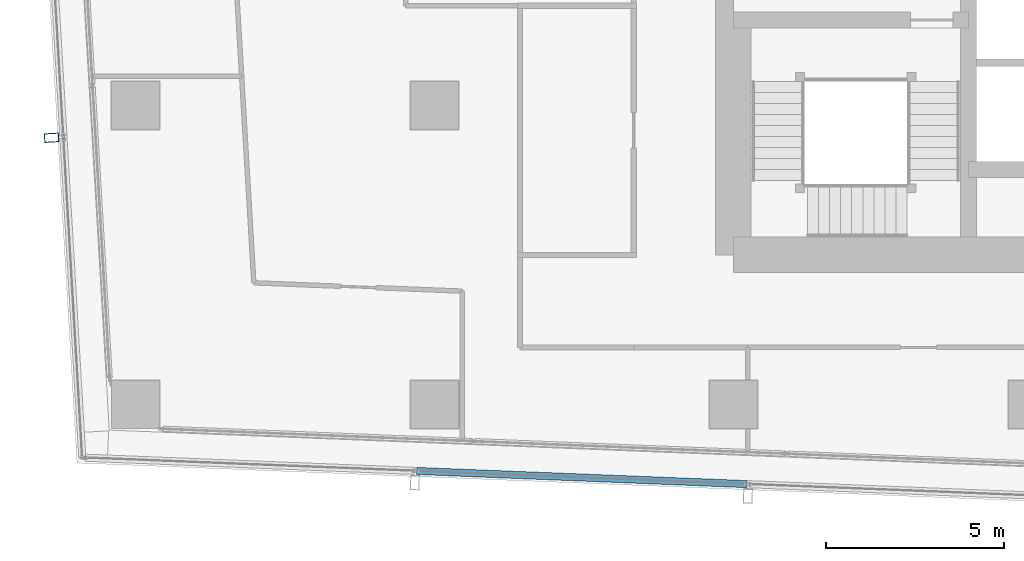
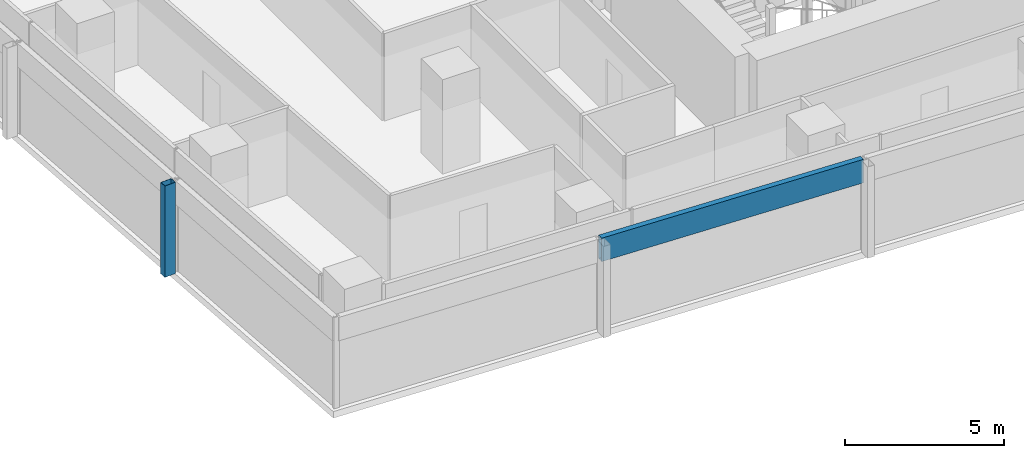
# One storey, part 4 of 33: 2 members, 2 elements without a shape of their own.
"""IFC4 building model written with IfcOpenShell, lengths in metres."""

from ifc_helpers import new_model, si_unit, direction, frame, origin, origin_2d, place, context, subcontext, project, spatial, hollow_rectangle, extrude, material, material_profile, profile_set, type_object, element, aggregate, save


model = new_model("IFC4")

# Units and contexts
model_context = context("Model", 3, precision=1e-05, world=origin(), true_north=direction((0.0, 1.0)))
body_context = subcontext(model_context, "Body", "Model", "MODEL_VIEW")
ifc_project = project(units=[si_unit("LENGTHUNIT", "METRE"), si_unit("AREAUNIT", "SQUARE_METRE"), si_unit("VOLUMEUNIT", "CUBIC_METRE"), si_unit("PLANEANGLEUNIT", "RADIAN"), si_unit("MASSUNIT", "GRAM", prefix="KILO")], contexts=[model_context])

# Site, building, storey
site_placement = place(None, origin())
site = spatial("IfcSite", under=ifc_project, at=site_placement, CompositionType="ELEMENT")
building_placement = place(site_placement, origin())
building = spatial("IfcBuilding", under=site, at=building_placement, Name="Rekha Terrace Tower", CompositionType="ELEMENT")
storey_placement = place(building_placement, frame((0.0, 0.0, 206.449951171875)))
storey = spatial("IfcBuildingStorey", under=building, at=storey_placement, Name="L52", CompositionType="ELEMENT", Elevation=206.449951171875)

# Curtain wall, member
ifc_material_1 = material(Name="Aluminium framing", Category="aluminium")
curtain_wall_type = type_object("IfcCurtainWallType", Name="CW2 double skin outer glazing", PredefinedType="USERDEFINED", material=ifc_material_1)
curtain_wall_1_placement = place(storey_placement, origin())
curtain_wall_1 = element("IfcCurtainWall", 1, at=curtain_wall_1_placement, inside=storey, type_object=curtain_wall_type, Name="CW2 double skin outer glazing", ObjectType="DOUBLE SKIN OUTER GLAZING", PredefinedType="USERDEFINED")
ifc_material_2 = material(Name="Steel S355 with fluorocarbon finish", Category="steel")
ifc_material_profile_1 = material_profile(ifc_material_2, hollow_rectangle(XDim=0.25, YDim=0.39990234375, WallThickness=0.012451171875, at=origin_2d()), Name="RHS400x250x12.5")
ifc_profile_set_1 = profile_set([ifc_material_profile_1], Name="Steel S355 with fluorocarbon finish")
member_type_1 = type_object("IfcMemberType", Name="BL1 facade blade RHS 400 x 250", PredefinedType="USERDEFINED", material=ifc_profile_set_1)
member_1_placement = place(storey_placement, frame((6.03662109375, 24.292236328125, 0.0), z_axis=(0.0, 0.0, 1.0), x_axis=(0.058764522885, -0.998271872212, 0.0)))
member_1 = element("IfcMember", 2, at=member_1_placement, type_object=member_type_1, Name="Facade blade", ObjectType="FACADE BLADE", PredefinedType="USERDEFINED", context=body_context, shape_type="SweptSolid", body=[
    extrude(hollow_rectangle(XDim=0.25, YDim=0.39990234375, WallThickness=0.012451171875, at=origin_2d()), origin(), (0.0, 0.0, 1.0), 3.5),
])
aggregate(curtain_wall_1, [member_1])

curtain_wall_2_placement = place(storey_placement, origin())
curtain_wall_2 = element("IfcCurtainWall", 3, at=curtain_wall_2_placement, inside=storey, type_object=curtain_wall_type, Name="CW2 double skin outer glazing", ObjectType="DOUBLE SKIN OUTER GLAZING", PredefinedType="USERDEFINED")
ifc_material_3 = material(Name="Insulated aluminium spandrel box", Category="aluminium")
ifc_material_profile_2 = material_profile(ifc_material_3, hollow_rectangle(XDim=0.199951171875, YDim=0.89990234375, WallThickness=0.0029296875, at=origin_2d()), Name="AL SPANDREL BOX 200x900")
ifc_profile_set_2 = profile_set([ifc_material_profile_2], Name="Insulated aluminium spandrel box")
member_type_2 = type_object("IfcMemberType", Name="CW2 spandrel transom 200 x 900", PredefinedType="USERDEFINED", material=ifc_profile_set_2)
member_2_placement = place(storey_placement, frame((16.2998046875, 14.928955078125, 3.050048828125), z_axis=(0.999205404308, -0.039856743486, 0.0), x_axis=(0.039856743486, 0.999205404308, 0.0)))
member_2 = element("IfcMember", 4, at=member_2_placement, type_object=member_type_2, Name="CW2 spandrel transom 2", ObjectType="TRANSOM", PredefinedType="USERDEFINED", context=body_context, shape_type="SweptSolid", body=[
    extrude(hollow_rectangle(XDim=0.199951171875, YDim=0.89990234375, WallThickness=0.0029296875, at=origin_2d()), origin(), (0.0, 0.0, 1.0), 9.2861328125),
])
aggregate(curtain_wall_2, [member_2])

save(model, "model.ifc")
